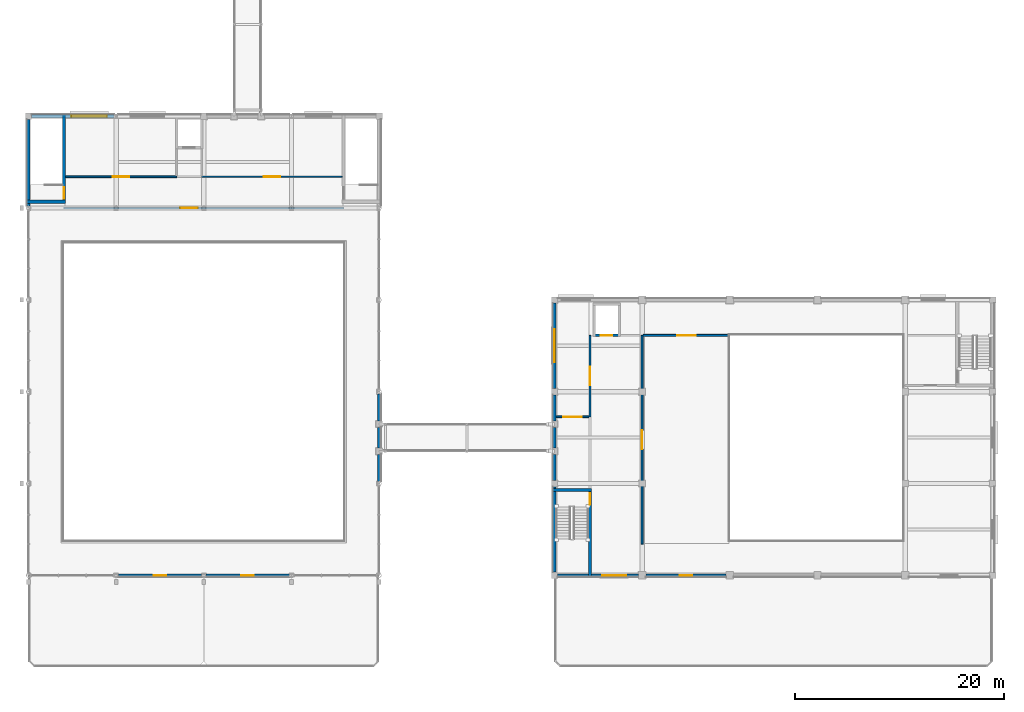
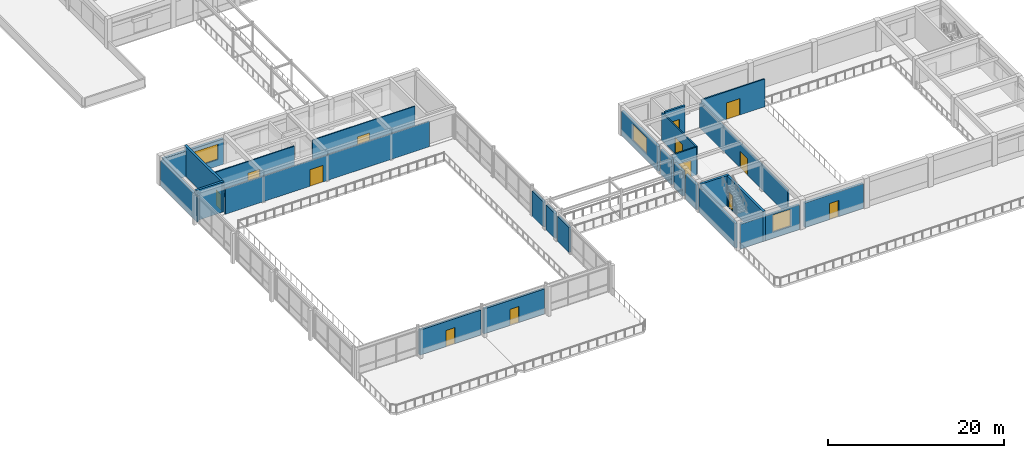
# One storey, part 34 of 57: 26 walls, 13 doors, 3 windows, 16 openings.
"""IFC4 building model written with IfcOpenShell, lengths in metres."""

from ifc_helpers import new_model, si_unit, direction, frame, frame_2d, origin, place, context, subcontext, project, spatial, rectangle, extrude, material, layer, layer_set, type_object, element, fill, save


model = new_model("IFC4")

# Units and contexts
model_context = context("Model", 3, precision=1e-05, world=origin(), true_north=direction((0.0, 1.0)))
body_context = subcontext(model_context, "Body", "Model", "MODEL_VIEW")
ifc_project = project(units=[si_unit("LENGTHUNIT", "METRE"), si_unit("AREAUNIT", "SQUARE_METRE"), si_unit("VOLUMEUNIT", "CUBIC_METRE"), si_unit("PLANEANGLEUNIT", "RADIAN"), si_unit("MASSUNIT", "GRAM", prefix="KILO")], contexts=[model_context])

# Site, building, storey
site_placement = place(None, origin())
site = spatial("IfcSite", under=ifc_project, at=site_placement, CompositionType="ELEMENT")
building_placement = place(site_placement, origin())
building = spatial("IfcBuilding", under=site, at=building_placement, Name="Kemercrest Conservatory and Botanical Centre", CompositionType="ELEMENT")
storey_placement = place(building_placement, frame((0.0, 0.0, 4.800048828125)))
storey = spatial("IfcBuildingStorey", under=building, at=storey_placement, Name="L01", CompositionType="ELEMENT", Elevation=4.800048828125)

# Wall, opening, window
ifc_material_1 = material(Name="Precast concrete C40/50", Category="concrete")
ifc_layer_1 = layer(ifc_material_1, 0.300048828125)
ifc_layer_set_1 = layer_set([ifc_layer_1], Name="Precast concrete C40/50")
wall_type_1 = type_object("IfcWallType", Name="CW-EXT300", PredefinedType="SHEAR", material=ifc_layer_set_1)
wall_1_placement = place(storey_placement, frame((16.20849609375, 60.800048828125, 0.0), z_axis=(0.0, 0.0, 1.0), x_axis=(-1.0, 0.0, 0.0)))
wall_1 = element("IfcWall", 1, at=wall_1_placement, inside=storey, type_object=wall_type_1, Name="Exterior stair-core shear wall CW-EXT300 (WAL:L01:EXT-019)", PredefinedType="SHEAR", context=body_context, shape_type="SweptSolid", body=[
    extrude(rectangle(XDim=7.8984375, YDim=0.300048828125, at=frame_2d((3.94921875, 0.0))), origin(), (0.0, 0.0, 1.0), 3.550048828125),
])
opening_1_placement = place(wall_1_placement, frame((0.704345703125, 0.0, 0.89990234375)))
opening_1 = element("IfcOpeningElement", 2, at=opening_1_placement, cuts=wall_1, Name="Opening WT-20", PredefinedType="OPENING", context=body_context, shape_type="SweptSolid", body=[
    extrude(rectangle(XDim=3.39990234375, YDim=2.14990234375, at=frame_2d((1.699951171875, 1.074951171875))), frame((0.0, 0.16015625, 0.0), z_axis=(0.0, -1.0, 0.0), x_axis=(1.0, 0.0, 0.0)), (0.0, 0.0, 1.0), 0.320068359375),
])
ifc_material_2 = material(Name="Thermally broken bronze-anodized aluminium and triple glazing", Category="aluminium")
window_type_1 = type_object("IfcWindowType", Name="WT-20", PartitioningType="SINGLE_PANEL", PredefinedType="WINDOW", material=ifc_material_2)
window_1_placement = place(opening_1_placement, origin())
window_1 = element("IfcWindow", 3, at=window_1_placement, inside=storey, type_object=window_type_1, Name="Exterior window WT-20 (WIN:L01:EXT-019)", OverallHeight=2.14990234375, OverallWidth=3.39990234375, PartitioningType="SINGLE_PANEL", PredefinedType="WINDOW", context=body_context, shape_type="SweptSolid", body=[
    extrude(rectangle(XDim=3.39990234375, YDim=2.14990234375, at=frame_2d((1.699951171875, 1.074951171875))), frame((0.0, 0.030029296875, 0.0), z_axis=(0.0, -1.0, 0.0), x_axis=(1.0, 0.0, 0.0)), (0.0, 0.0, 1.0), 0.06005859375),
])
fill(opening_1, window_1)

# Wall
wall_2_placement = place(storey_placement, frame((8.0, 60.489990234375, 0.0), z_axis=(0.0, 0.0, 1.0), x_axis=(0.0, -1.0, 0.0)))
element("IfcWall", 4, at=wall_2_placement, inside=storey, type_object=wall_type_1, Name="Exterior stair-core shear wall CW-EXT300 (WAL:L01:EXT-020)", PredefinedType="SHEAR", context=body_context, shape_type="SweptSolid", body=[
    extrude(rectangle(XDim=8.27685546875, YDim=0.300048828125, at=frame_2d((4.138427734375, 0.0))), origin(), (0.0, 0.0, 1.0), 3.550048828125),
])

# Wall, opening, window
wall_3_placement = place(storey_placement, frame((58.7099609375, 16.800048828125, 0.0), z_axis=(0.0, 0.0, 1.0), x_axis=(1.0, 0.0, 0.0)))
wall_3 = element("IfcWall", 5, at=wall_3_placement, inside=storey, type_object=wall_type_1, Name="Exterior stair-core shear wall CW-EXT300 (WAL:L01:EXT-037)", PredefinedType="SHEAR", context=body_context, shape_type="SweptSolid", body=[
    extrude(rectangle(XDim=7.72998046875, YDim=0.300048828125, at=frame_2d((3.864990234375, 0.0))), origin(), (0.0, 0.0, 1.0), 3.449951171875),
])
opening_2_placement = place(wall_3_placement, frame((4.27001953125, 0.0, 0.89990234375)))
opening_2 = element("IfcOpeningElement", 6, at=opening_2_placement, cuts=wall_3, Name="Opening WT-44", PredefinedType="OPENING", context=body_context, shape_type="SweptSolid", body=[
    extrude(rectangle(XDim=2.280029296875, YDim=2.360107421875, at=frame_2d((1.14013671875, 1.18017578125))), frame((0.0, 0.16015625, 0.0), z_axis=(0.0, -1.0, 0.0), x_axis=(1.0, 0.0, 0.0)), (0.0, 0.0, 1.0), 0.320068359375),
])
window_type_2 = type_object("IfcWindowType", Name="WT-44", PartitioningType="SINGLE_PANEL", PredefinedType="WINDOW", material=ifc_material_2)
window_2_placement = place(opening_2_placement, origin())
window_2 = element("IfcWindow", 7, at=window_2_placement, inside=storey, type_object=window_type_2, Name="Exterior window WT-44 (WIN:L01:EXT-037)", OverallHeight=2.360107421875, OverallWidth=2.280029296875, PartitioningType="SINGLE_PANEL", PredefinedType="WINDOW", context=body_context, shape_type="SweptSolid", body=[
    extrude(rectangle(XDim=2.280029296875, YDim=2.360107421875, at=frame_2d((1.14013671875, 1.18017578125))), frame((0.0, 0.030029296875, 0.0), z_axis=(0.0, -1.0, 0.0), x_axis=(1.0, 0.0, 0.0)), (0.0, 0.0, 1.0), 0.06005859375),
])
fill(opening_2, window_2)

# Walls
wall_4_placement = place(storey_placement, frame((58.39990234375, 25.2900390625, 0.0), z_axis=(0.0, 0.0, 1.0), x_axis=(0.0, -1.0, 0.0)))
element("IfcWall", 8, at=wall_4_placement, inside=storey, type_object=wall_type_1, Name="Exterior stair-core shear wall CW-EXT300 (WAL:L01:EXT-052)", PredefinedType="SHEAR", context=body_context, shape_type="SweptSolid", body=[
    extrude(rectangle(XDim=8.179931640625, YDim=0.300048828125, at=frame_2d((4.08984375, 0.0))), origin(), (0.0, 0.0, 1.0), 3.449951171875),
])
ifc_material_3 = material(Name="Concrete C50/60", Category="concrete")
ifc_layer_2 = layer(ifc_material_3, 0.300048828125)
ifc_layer_set_2 = layer_set([ifc_layer_2], Name="Concrete C50/60")
wall_type_2 = type_object("IfcWallType", Name="CW-STAIR", PredefinedType="SHEAR", material=ifc_layer_set_2)
wall_5_placement = place(storey_placement, frame((7.85009765625, 52.60009765625, 0.0), z_axis=(0.0, 0.0, 1.0), x_axis=(1.0, 0.0, 0.0)))
element("IfcWall", 9, at=wall_5_placement, inside=storey, type_object=wall_type_2, Name="Stair core ST-V1A shear wall S", PredefinedType="SHEAR", context=body_context, shape_type="SweptSolid", body=[
    extrude(rectangle(XDim=3.699951171875, YDim=0.300048828125, at=frame_2d((1.85009765625, 0.0))), origin(), (0.0, 0.0, 1.0), 4.199951171875),
])

# Wall, opening, door
wall_6_placement = place(storey_placement, frame((11.39990234375, 52.449951171875, 0.0), z_axis=(0.0, 0.0, 1.0), x_axis=(0.0, 1.0, 0.0)))
wall_6 = element("IfcWall", 10, at=wall_6_placement, inside=storey, type_object=wall_type_2, Name="Stair core ST-V1A shear wall E", PredefinedType="SHEAR", context=body_context, shape_type="SweptSolid", body=[
    extrude(rectangle(XDim=8.5, YDim=0.300048828125, at=frame_2d((4.25, 0.0))), origin(), (0.0, 0.0, 1.0), 4.199951171875),
])
opening_3_placement = place(wall_6_placement, frame((0.449951171875, 0.0, 0.0)))
opening_3 = element("IfcOpeningElement", 11, at=opening_3_placement, cuts=wall_6, Name="Opening D003", PredefinedType="OPENING", context=body_context, shape_type="SweptSolid", body=[
    extrude(rectangle(XDim=1.10009765625, YDim=2.199951171875, at=frame_2d((0.550048828125, 1.10009765625))), frame((0.0, 0.16015625, 0.0), z_axis=(0.0, -1.0, 0.0), x_axis=(1.0, 0.0, 0.0)), (0.0, 0.0, 1.0), 0.320068359375),
])
ifc_material_4 = material(Name="Powder-coated galvanized steel and fire-rated vision glass", Category="steel")
door_type_1 = type_object("IfcDoorType", Name="DT-FD90", OperationType="NOTDEFINED", PredefinedType="DOOR", material=ifc_material_4)
door_1_placement = place(opening_3_placement, origin())
door_1 = element("IfcDoor", 12, at=door_1_placement, inside=storey, type_object=door_type_1, Name="Exit stair ST-V1A fire door D003", OperationType="SINGLE_SWING_LEFT", OverallHeight=2.199951171875, OverallWidth=1.10009765625, PredefinedType="DOOR", context=body_context, shape_type="SweptSolid", body=[
    extrude(rectangle(XDim=1.10009765625, YDim=2.199951171875, at=frame_2d((0.550048828125, 1.10009765625))), frame((0.0, 0.02490234375, 0.0), z_axis=(0.0, -1.0, 0.0), x_axis=(1.0, 0.0, 0.0)), (0.0, 0.0, 1.0), 0.050048828125),
])
fill(opening_3, door_1)

# Wall
wall_7_placement = place(storey_placement, frame((58.25, 25.0, 0.0), z_axis=(0.0, 0.0, 1.0), x_axis=(1.0, 0.0, 0.0)))
element("IfcWall", 13, at=wall_7_placement, inside=storey, type_object=wall_type_2, Name="Stair core ST-V2A shear wall N", PredefinedType="SHEAR", context=body_context, shape_type="SweptSolid", body=[
    extrude(rectangle(XDim=3.699951171875, YDim=0.300048828125, at=frame_2d((1.85009765625, 0.0))), origin(), (0.0, 0.0, 1.0), 4.199951171875),
])

# Wall, opening, door
wall_8_placement = place(storey_placement, frame((61.800048828125, 16.64990234375, 0.0), z_axis=(0.0, 0.0, 1.0), x_axis=(0.0, 1.0, 0.0)))
wall_8 = element("IfcWall", 14, at=wall_8_placement, inside=storey, type_object=wall_type_2, Name="Stair core ST-V2A shear wall E", PredefinedType="SHEAR", context=body_context, shape_type="SweptSolid", body=[
    extrude(rectangle(XDim=8.5, YDim=0.300048828125, at=frame_2d((4.25, 0.0))), origin(), (0.0, 0.0, 1.0), 4.199951171875),
])
opening_4_placement = place(wall_8_placement, frame((6.89990234375, 0.0, 0.0)))
opening_4 = element("IfcOpeningElement", 15, at=opening_4_placement, cuts=wall_8, Name="Opening D009", PredefinedType="OPENING", context=body_context, shape_type="SweptSolid", body=[
    extrude(rectangle(XDim=1.10009765625, YDim=2.199951171875, at=frame_2d((0.550048828125, 1.10009765625))), frame((0.0, 0.16015625, 0.0), z_axis=(0.0, -1.0, 0.0), x_axis=(1.0, 0.0, 0.0)), (0.0, 0.0, 1.0), 0.320068359375),
])
door_2_placement = place(opening_4_placement, origin())
door_2 = element("IfcDoor", 16, at=door_2_placement, inside=storey, type_object=door_type_1, Name="Exit stair ST-V2A fire door D009", OperationType="SINGLE_SWING_LEFT", OverallHeight=2.199951171875, OverallWidth=1.10009765625, PredefinedType="DOOR", context=body_context, shape_type="SweptSolid", body=[
    extrude(rectangle(XDim=1.10009765625, YDim=2.199951171875, at=frame_2d((0.550048828125, 1.10009765625))), frame((0.0, 0.02490234375, 0.0), z_axis=(0.0, -1.0, 0.0), x_axis=(1.0, 0.0, 0.0)), (0.0, 0.0, 1.0), 0.050048828125),
])
fill(opening_4, door_2)

ifc_layer_3 = layer(ifc_material_1, 0.300048828125)
ifc_layer_set_3 = layer_set([ifc_layer_3], Name="Precast concrete C40/50")
wall_type_3 = type_object("IfcWallType", Name="W-EXT300", PredefinedType="SOLIDWALL", material=ifc_layer_set_3)
wall_9_placement = place(storey_placement, frame((16.61328125, 16.800048828125, 0.0), z_axis=(0.0, 0.0, 1.0), x_axis=(1.0, 0.0, 0.0)))
wall_9 = element("IfcWall", 17, at=wall_9_placement, inside=storey, type_object=wall_type_3, Name="Exterior almasik wall W-EXT300 (WAL:L01:EXT-012)", PredefinedType="SOLIDWALL", context=body_context, shape_type="SweptSolid", body=[
    extrude(rectangle(XDim=7.9736328125, YDim=0.300048828125, at=frame_2d((3.98681640625, 0.0))), origin(), (0.0, 0.0, 1.0), 3.490966796875),
])
opening_5_placement = place(wall_9_placement, frame((3.38671875, 0.0, 0.0)))
opening_5 = element("IfcOpeningElement", 18, at=opening_5_placement, cuts=wall_9, Name="Opening ED009", PredefinedType="OPENING", context=body_context, shape_type="SweptSolid", body=[
    extrude(rectangle(XDim=1.199951171875, YDim=2.25, at=frame_2d((0.60009765625, 1.125))), frame((0.0, 0.16015625, 0.0), z_axis=(0.0, -1.0, 0.0), x_axis=(1.0, 0.0, 0.0)), (0.0, 0.0, 1.0), 0.320068359375),
])
ifc_material_5 = material(Name="Thermally broken bronze-anodized aluminium and laminated safety glass", Category="aluminium")
door_type_2 = type_object("IfcDoorType", Name="DT-E04", OperationType="NOTDEFINED", PredefinedType="DOOR", material=ifc_material_5)
door_3_placement = place(opening_5_placement, frame((1.199951171875, 0.0, 0.0), z_axis=(0.0, 0.0, 1.0), x_axis=(-1.0, 0.0, 0.0)))
door_3 = element("IfcDoor", 19, at=door_3_placement, inside=storey, type_object=door_type_2, Name="Conservatory Harbour Colonnade Terrace Door", OperationType="SINGLE_SWING_LEFT", OverallHeight=2.25, OverallWidth=1.199951171875, PredefinedType="DOOR", context=body_context, shape_type="SweptSolid", body=[
    extrude(rectangle(XDim=1.199951171875, YDim=2.25, at=frame_2d((0.60009765625, 1.125))), frame((0.0, 0.02490234375, 0.0), z_axis=(0.0, -1.0, 0.0), x_axis=(1.0, 0.0, 0.0)), (0.0, 0.0, 1.0), 0.050048828125),
])
fill(opening_5, door_3)

wall_10_placement = place(storey_placement, frame((25.01318359375, 16.800048828125, 0.0), z_axis=(0.0, 0.0, 1.0), x_axis=(1.0, 0.0, 0.0)))
wall_10 = element("IfcWall", 20, at=wall_10_placement, inside=storey, type_object=wall_type_3, Name="Exterior almasik wall W-EXT300 (WAL:L01:EXT-013)", PredefinedType="SOLIDWALL", context=body_context, shape_type="SweptSolid", body=[
    extrude(rectangle(XDim=7.9736328125, YDim=0.300048828125, at=frame_2d((3.98681640625, 0.0))), origin(), (0.0, 0.0, 1.0), 3.490966796875),
])
opening_6_placement = place(wall_10_placement, frame((3.38671875, 0.0, 0.0)))
opening_6 = element("IfcOpeningElement", 21, at=opening_6_placement, cuts=wall_10, Name="Opening ED010", PredefinedType="OPENING", context=body_context, shape_type="SweptSolid", body=[
    extrude(rectangle(XDim=1.199951171875, YDim=2.25, at=frame_2d((0.60009765625, 1.125))), frame((0.0, 0.16015625, 0.0), z_axis=(0.0, -1.0, 0.0), x_axis=(1.0, 0.0, 0.0)), (0.0, 0.0, 1.0), 0.320068359375),
])
door_4_placement = place(opening_6_placement, frame((1.199951171875, 0.0, 0.0), z_axis=(0.0, 0.0, 1.0), x_axis=(-1.0, 0.0, 0.0)))
door_4 = element("IfcDoor", 22, at=door_4_placement, inside=storey, type_object=door_type_2, Name="Conservatory Harbour Colonnade Terrace Door", OperationType="SINGLE_SWING_LEFT", OverallHeight=2.25, OverallWidth=1.199951171875, PredefinedType="DOOR", context=body_context, shape_type="SweptSolid", body=[
    extrude(rectangle(XDim=1.199951171875, YDim=2.25, at=frame_2d((0.60009765625, 1.125))), frame((0.0, 0.02490234375, 0.0), z_axis=(0.0, -1.0, 0.0), x_axis=(1.0, 0.0, 0.0)), (0.0, 0.0, 1.0), 0.050048828125),
])
fill(opening_6, door_4)

# Walls
wall_11_placement = place(storey_placement, frame((41.60009765625, 25.813232421875, 0.0), z_axis=(0.0, 0.0, 1.0), x_axis=(0.0, 1.0, 0.0)))
element("IfcWall", 23, at=wall_11_placement, inside=storey, type_object=wall_type_3, Name="Exterior almasik wall W-EXT300 (WAL:L01:EXT-014-S1)", PredefinedType="SOLIDWALL", context=body_context, shape_type="SweptSolid", body=[
    extrude(rectangle(XDim=2.57666015625, YDim=0.300048828125, at=frame_2d((1.288330078125, 0.0))), origin(), (0.0, 0.0, 1.0), 3.490966796875),
])
wall_12_placement = place(storey_placement, frame((41.60009765625, 29.010009765625, 0.0), z_axis=(0.0, 0.0, 1.0), x_axis=(0.0, 1.0, 0.0)))
element("IfcWall", 24, at=wall_12_placement, inside=storey, type_object=wall_type_3, Name="Exterior almasik wall W-EXT300 (WAL:L01:EXT-014-S2)", PredefinedType="SOLIDWALL", context=body_context, shape_type="SweptSolid", body=[
    extrude(rectangle(XDim=1.97998046875, YDim=0.300048828125, at=frame_2d((0.989990234375, 0.0))), origin(), (0.0, 0.0, 1.0), 3.490966796875),
])
wall_13_placement = place(storey_placement, frame((41.60009765625, 31.610107421875, 0.0), z_axis=(0.0, 0.0, 1.0), x_axis=(0.0, 1.0, 0.0)))
element("IfcWall", 25, at=wall_13_placement, inside=storey, type_object=wall_type_3, Name="Exterior almasik wall W-EXT300 (WAL:L01:EXT-014-S3)", PredefinedType="SOLIDWALL", context=body_context, shape_type="SweptSolid", body=[
    extrude(rectangle(XDim=2.57666015625, YDim=0.300048828125, at=frame_2d((1.288330078125, 0.0))), origin(), (0.0, 0.0, 1.0), 3.490966796875),
])

# Wall, opening, door
wall_14_placement = place(storey_placement, frame((67.159912109375, 16.800048828125, 0.0), z_axis=(0.0, 0.0, 1.0), x_axis=(1.0, 0.0, 0.0)))
wall_14 = element("IfcWall", 26, at=wall_14_placement, inside=storey, type_object=wall_type_3, Name="Exterior almasik wall W-EXT300 (WAL:L01:EXT-038)", PredefinedType="SOLIDWALL", context=body_context, shape_type="SweptSolid", body=[
    extrude(rectangle(XDim=7.68017578125, YDim=0.300048828125, at=frame_2d((3.840087890625, 0.0))), origin(), (0.0, 0.0, 1.0), 3.449951171875),
])
opening_7_placement = place(wall_14_placement, frame((3.239990234375, 0.0, 0.0)))
opening_7 = element("IfcOpeningElement", 27, at=opening_7_placement, cuts=wall_14, Name="Opening ED019", PredefinedType="OPENING", context=body_context, shape_type="SweptSolid", body=[
    extrude(rectangle(XDim=1.199951171875, YDim=2.25, at=frame_2d((0.60009765625, 1.125))), frame((0.0, 0.16015625, 0.0), z_axis=(0.0, -1.0, 0.0), x_axis=(1.0, 0.0, 0.0)), (0.0, 0.0, 1.0), 0.320068359375),
])
door_5_placement = place(opening_7_placement, frame((1.199951171875, 0.0, 0.0), z_axis=(0.0, 0.0, 1.0), x_axis=(-1.0, 0.0, 0.0)))
door_5 = element("IfcDoor", 28, at=door_5_placement, inside=storey, type_object=door_type_2, Name="Auditorium Harbour Loggia Terrace Door", OperationType="SINGLE_SWING_RIGHT", OverallHeight=2.25, OverallWidth=1.199951171875, PredefinedType="DOOR", context=body_context, shape_type="SweptSolid", body=[
    extrude(rectangle(XDim=1.199951171875, YDim=2.25, at=frame_2d((0.60009765625, 1.125))), frame((0.0, 0.02490234375, 0.0), z_axis=(0.0, -1.0, 0.0), x_axis=(1.0, 0.0, 0.0)), (0.0, 0.0, 1.0), 0.050048828125),
])
fill(opening_7, door_5)

# Wall, opening, window
wall_15_placement = place(storey_placement, frame((58.39990234375, 42.889892578125, 0.0), z_axis=(0.0, 0.0, 1.0), x_axis=(0.0, -1.0, 0.0)))
wall_15 = element("IfcWall", 29, at=wall_15_placement, inside=storey, type_object=wall_type_3, Name="Exterior almasik wall W-EXT300 (WAL:L01:EXT-050)", PredefinedType="SOLIDWALL", context=body_context, shape_type="SweptSolid", body=[
    extrude(rectangle(XDim=8.179931640625, YDim=0.300048828125, at=frame_2d((4.08984375, 0.0))), origin(), (0.0, 0.0, 1.0), 3.449951171875),
])
opening_8_placement = place(wall_15_placement, frame((2.52001953125, 0.0, 0.89990234375)))
opening_8 = element("IfcOpeningElement", 30, at=opening_8_placement, cuts=wall_15, Name="Opening WT-57", PredefinedType="OPENING", context=body_context, shape_type="SweptSolid", body=[
    extrude(rectangle(XDim=3.139892578125, YDim=2.239990234375, at=frame_2d((1.56982421875, 1.1201171875))), frame((0.0, 0.16015625, 0.0), z_axis=(0.0, -1.0, 0.0), x_axis=(1.0, 0.0, 0.0)), (0.0, 0.0, 1.0), 0.320068359375),
])
window_type_3 = type_object("IfcWindowType", Name="WT-57", PartitioningType="SINGLE_PANEL", PredefinedType="WINDOW", material=ifc_material_2)
window_3_placement = place(opening_8_placement, origin())
window_3 = element("IfcWindow", 31, at=window_3_placement, inside=storey, type_object=window_type_3, Name="Exterior window WT-57 (WIN:L01:EXT-050)", OverallHeight=2.239990234375, OverallWidth=3.139892578125, PartitioningType="SINGLE_PANEL", PredefinedType="WINDOW", context=body_context, shape_type="SweptSolid", body=[
    extrude(rectangle(XDim=3.139892578125, YDim=2.239990234375, at=frame_2d((1.56982421875, 1.1201171875))), frame((0.0, 0.030029296875, 0.0), z_axis=(0.0, -1.0, 0.0), x_axis=(1.0, 0.0, 0.0)), (0.0, 0.0, 1.0), 0.06005859375),
])
fill(opening_8, window_3)

# Walls
wall_16_placement = place(storey_placement, frame((58.39990234375, 34.090087890625, 0.0), z_axis=(0.0, 0.0, 1.0), x_axis=(0.0, -1.0, 0.0)))
element("IfcWall", 32, at=wall_16_placement, inside=storey, type_object=wall_type_3, Name="Exterior almasik wall W-EXT300 (WAL:L01:EXT-051-S1)", PredefinedType="SOLIDWALL", context=body_context, shape_type="SweptSolid", body=[
    extrude(rectangle(XDim=2.47998046875, YDim=0.300048828125, at=frame_2d((1.239990234375, 0.0))), origin(), (0.0, 0.0, 1.0), 3.449951171875),
])
wall_17_placement = place(storey_placement, frame((58.39990234375, 30.989990234375, 0.0), z_axis=(0.0, 0.0, 1.0), x_axis=(0.0, -1.0, 0.0)))
element("IfcWall", 33, at=wall_17_placement, inside=storey, type_object=wall_type_3, Name="Exterior almasik wall W-EXT300 (WAL:L01:EXT-051-S2)", PredefinedType="SOLIDWALL", context=body_context, shape_type="SweptSolid", body=[
    extrude(rectangle(XDim=1.97998046875, YDim=0.300048828125, at=frame_2d((0.989990234375, 0.0))), origin(), (0.0, 0.0, 1.0), 3.449951171875),
])
wall_18_placement = place(storey_placement, frame((58.39990234375, 28.389892578125, 0.0), z_axis=(0.0, 0.0, 1.0), x_axis=(0.0, -1.0, 0.0)))
element("IfcWall", 34, at=wall_18_placement, inside=storey, type_object=wall_type_3, Name="Exterior almasik wall W-EXT300 (WAL:L01:EXT-051-S3)", PredefinedType="SOLIDWALL", context=body_context, shape_type="SweptSolid", body=[
    extrude(rectangle(XDim=2.47998046875, YDim=0.300048828125, at=frame_2d((1.239990234375, 0.0))), origin(), (0.0, 0.0, 1.0), 3.449951171875),
])

# Wall, opening, door
ifc_material_6 = material(Name="Moisture-resistant gypsum board partition", Category="gypsum")
ifc_layer_4 = layer(ifc_material_6, 0.125)
ifc_layer_set_4 = layer_set([ifc_layer_4], Name="Moisture-resistant gypsum board partition")
wall_type_4 = type_object("IfcWallType", Name="W-PART125", PredefinedType="PARTITIONING", material=ifc_layer_set_4)
wall_19_placement = place(storey_placement, frame((24.60009765625, 55.0, 0.0), z_axis=(0.0, 0.0, 1.0), x_axis=(1.0, 0.0, 0.0)))
wall_19 = element("IfcWall", 35, at=wall_19_placement, inside=storey, type_object=wall_type_4, Name="Interior partition W-PART125 #63", PredefinedType="PARTITIONING", context=body_context, shape_type="SweptSolid", body=[
    extrude(rectangle(XDim=13.44482421875, YDim=0.125, at=frame_2d((6.722412109375, 0.0))), origin(), (0.0, 0.0, 1.0), 3.864990234375),
])
opening_9_placement = place(wall_19_placement, frame((5.9326171875, 0.0, 0.0)))
opening_9 = element("IfcOpeningElement", 36, at=opening_9_placement, cuts=wall_19, Name="Opening D141", PredefinedType="OPENING", context=body_context, shape_type="SweptSolid", body=[
    extrude(rectangle(XDim=1.580078125, YDim=2.25, at=frame_2d((0.7900390625, 1.125))), frame((0.0, 0.072509765625, 0.0), z_axis=(0.0, -1.0, 0.0), x_axis=(1.0, 0.0, 0.0)), (0.0, 0.0, 1.0), 0.14501953125),
])
ifc_material_7 = material(Name="FSC solid-core white oak veneer and anodized aluminium frame", Category="aluminium")
door_type_3 = type_object("IfcDoorType", Name="DT-10", OperationType="DOUBLE_DOOR_SINGLE_SWING", PredefinedType="DOOR", material=ifc_material_7)
door_6_placement = place(opening_9_placement, origin())
door_6 = element("IfcDoor", 37, at=door_6_placement, inside=storey, type_object=door_type_3, Name="Gallery Accessible Washroom door D141", OperationType="DOUBLE_DOOR_SINGLE_SWING", OverallHeight=2.25, OverallWidth=1.580078125, PredefinedType="DOOR", context=body_context, shape_type="SweptSolid", body=[
    extrude(rectangle(XDim=1.580078125, YDim=2.25, at=frame_2d((0.7900390625, 1.125))), frame((0.0, 0.02490234375, 0.0), z_axis=(0.0, -1.0, 0.0), x_axis=(1.0, 0.0, 0.0)), (0.0, 0.0, 1.0), 0.050048828125),
])
fill(opening_9, door_6)

ifc_material_8 = material(Name="Steel-stud gypsum board partition", Category="steel")
ifc_layer_5 = layer(ifc_material_8, 0.14990234375)
ifc_layer_set_5 = layer_set([ifc_layer_5], Name="Steel-stud gypsum board partition")
wall_type_5 = type_object("IfcWallType", Name="W-PART150", PredefinedType="PARTITIONING", material=ifc_layer_set_5)
wall_20_placement = place(storey_placement, frame((11.39990234375, 52.0, 0.0), z_axis=(0.0, 0.0, 1.0), x_axis=(1.0, 0.0, 0.0)))
wall_20 = element("IfcWall", 38, at=wall_20_placement, inside=storey, type_object=wall_type_5, Name="Interior partition W-PART150 #61", PredefinedType="PARTITIONING", context=body_context, shape_type="SweptSolid", body=[
    extrude(rectangle(XDim=26.800048828125, YDim=0.14990234375, at=frame_2d((13.39990234375, 0.0))), origin(), (0.0, 0.0, 1.0), 3.544921875),
])
opening_10_placement = place(wall_20_placement, frame((11.159912109375, 0.0, 0.0)))
opening_10 = element("IfcOpeningElement", 39, at=opening_10_placement, cuts=wall_20, Name="Opening D139", PredefinedType="OPENING", context=body_context, shape_type="SweptSolid", body=[
    extrude(rectangle(XDim=1.679931640625, YDim=2.300048828125, at=frame_2d((0.83984375, 1.14990234375))), frame((0.0, 0.0849609375, 0.0), z_axis=(0.0, -1.0, 0.0), x_axis=(1.0, 0.0, 0.0)), (0.0, 0.0, 1.0), 0.169921875),
])
door_type_4 = type_object("IfcDoorType", Name="DT-11", OperationType="DOUBLE_DOOR_SINGLE_SWING", PredefinedType="DOOR", material=ifc_material_7)
door_7_placement = place(opening_10_placement, origin())
door_7 = element("IfcDoor", 40, at=door_7_placement, inside=storey, type_object=door_type_4, Name="Conservatory Canopy Walk door D139", OperationType="DOUBLE_DOOR_SINGLE_SWING", OverallHeight=2.300048828125, OverallWidth=1.679931640625, PredefinedType="DOOR", context=body_context, shape_type="SweptSolid", body=[
    extrude(rectangle(XDim=1.679931640625, YDim=2.300048828125, at=frame_2d((0.83984375, 1.14990234375))), frame((0.0, 0.02490234375, 0.0), z_axis=(0.0, -1.0, 0.0), x_axis=(1.0, 0.0, 0.0)), (0.0, 0.0, 1.0), 0.050048828125),
])
fill(opening_10, door_7)

wall_21_placement = place(storey_placement, frame((11.554931640625, 55.0, 0.0), z_axis=(0.0, 0.0, 1.0), x_axis=(1.0, 0.0, 0.0)))
wall_21 = element("IfcWall", 41, at=wall_21_placement, inside=storey, type_object=wall_type_5, Name="Interior partition W-PART150 #62", PredefinedType="PARTITIONING", context=body_context, shape_type="SweptSolid", body=[
    extrude(rectangle(XDim=10.64501953125, YDim=0.14990234375, at=frame_2d((5.322509765625, 0.0))), origin(), (0.0, 0.0, 1.0), 3.864990234375),
])
opening_11_placement = place(wall_21_placement, frame((4.532470703125, 0.0, 0.0)))
opening_11 = element("IfcOpeningElement", 42, at=opening_11_placement, cuts=wall_21, Name="Opening D140", PredefinedType="OPENING", context=body_context, shape_type="SweptSolid", body=[
    extrude(rectangle(XDim=1.580078125, YDim=2.25, at=frame_2d((0.7900390625, 1.125))), frame((0.0, 0.0849609375, 0.0), z_axis=(0.0, -1.0, 0.0), x_axis=(1.0, 0.0, 0.0)), (0.0, 0.0, 1.0), 0.169921875),
])
door_8_placement = place(opening_11_placement, origin())
door_8 = element("IfcDoor", 43, at=door_8_placement, inside=storey, type_object=door_type_3, Name="Epiphyte Interpretation Gallery door D140", OperationType="DOUBLE_DOOR_SINGLE_SWING", OverallHeight=2.25, OverallWidth=1.580078125, PredefinedType="DOOR", context=body_context, shape_type="SweptSolid", body=[
    extrude(rectangle(XDim=1.580078125, YDim=2.25, at=frame_2d((0.7900390625, 1.125))), frame((0.0, 0.02490234375, 0.0), z_axis=(0.0, -1.0, 0.0), x_axis=(1.0, 0.0, 0.0)), (0.0, 0.0, 1.0), 0.050048828125),
])
fill(opening_11, door_8)

ifc_material_9 = material(Name="Acoustic steel-stud gypsum board assembly", Category="steel")
ifc_layer_6 = layer(ifc_material_9, 0.179931640625)
ifc_layer_set_6 = layer_set([ifc_layer_6], Name="Acoustic steel-stud gypsum board assembly")
wall_type_6 = type_object("IfcWallType", Name="W-PART180", PredefinedType="PARTITIONING", material=ifc_layer_set_6)
wall_22_placement = place(storey_placement, frame((61.800048828125, 32.0, 0.0), z_axis=(0.0, 0.0, 1.0), x_axis=(0.0, 1.0, 0.0)))
wall_22 = element("IfcWall", 44, at=wall_22_placement, inside=storey, type_object=wall_type_6, Name="Interior partition W-PART180 #66", PredefinedType="PARTITIONING", context=body_context, shape_type="SweptSolid", body=[
    extrude(rectangle(XDim=7.800048828125, YDim=0.179931640625, at=frame_2d((3.89990234375, 0.0))), origin(), (0.0, 0.0, 1.0), 3.864990234375),
])
opening_12_placement = place(wall_22_placement, frame((3.010009765625, 0.0, 0.0)))
opening_12 = element("IfcOpeningElement", 45, at=opening_12_placement, cuts=wall_22, Name="Opening D142", PredefinedType="OPENING", context=body_context, shape_type="SweptSolid", body=[
    extrude(rectangle(XDim=1.780029296875, YDim=2.300048828125, at=frame_2d((0.89013671875, 1.14990234375))), frame((0.0, 0.10009765625, 0.0), z_axis=(0.0, -1.0, 0.0), x_axis=(1.0, 0.0, 0.0)), (0.0, 0.0, 1.0), 0.199951171875),
])
door_type_5 = type_object("IfcDoorType", Name="DT-12", OperationType="DOUBLE_DOOR_SINGLE_SWING", PredefinedType="DOOR", material=ifc_material_7)
door_9_placement = place(opening_12_placement, origin())
door_9 = element("IfcDoor", 46, at=door_9_placement, inside=storey, type_object=door_type_5, Name="Upper Auditorium Accessible Washroom door D142", OperationType="DOUBLE_DOOR_SINGLE_SWING", OverallHeight=2.300048828125, OverallWidth=1.780029296875, PredefinedType="DOOR", context=body_context, shape_type="SweptSolid", body=[
    extrude(rectangle(XDim=1.780029296875, YDim=2.300048828125, at=frame_2d((0.89013671875, 1.14990234375))), frame((0.0, 0.02490234375, 0.0), z_axis=(0.0, -1.0, 0.0), x_axis=(1.0, 0.0, 0.0)), (0.0, 0.0, 1.0), 0.050048828125),
])
fill(opening_12, door_9)

wall_23_placement = place(storey_placement, frame((66.800048828125, 19.800048828125, 0.0), z_axis=(0.0, 0.0, 1.0), x_axis=(0.0, 1.0, 0.0)))
wall_23 = element("IfcWall", 47, at=wall_23_placement, inside=storey, type_object=wall_type_6, Name="Interior partition W-PART180 #67", PredefinedType="PARTITIONING", context=body_context, shape_type="SweptSolid", body=[
    extrude(rectangle(XDim=20.0, YDim=0.179931640625, at=frame_2d((10.0, 0.0))), origin(), (0.0, 0.0, 1.0), 3.445068359375),
])
opening_13_placement = place(wall_23_placement, frame((9.110107421875, 0.0, 0.0)))
opening_13 = element("IfcOpeningElement", 48, at=opening_13_placement, cuts=wall_23, Name="Opening D143", PredefinedType="OPENING", context=body_context, shape_type="SweptSolid", body=[
    extrude(rectangle(XDim=1.780029296875, YDim=2.300048828125, at=frame_2d((0.89013671875, 1.14990234375))), frame((0.0, 0.10009765625, 0.0), z_axis=(0.0, -1.0, 0.0), x_axis=(1.0, 0.0, 0.0)), (0.0, 0.0, 1.0), 0.199951171875),
])
door_10_placement = place(opening_13_placement, origin())
door_10 = element("IfcDoor", 49, at=door_10_placement, inside=storey, type_object=door_type_5, Name="Auditorium Seating Gallery door D143", OperationType="DOUBLE_DOOR_SINGLE_SWING", OverallHeight=2.300048828125, OverallWidth=1.780029296875, PredefinedType="DOOR", context=body_context, shape_type="SweptSolid", body=[
    extrude(rectangle(XDim=1.780029296875, YDim=2.300048828125, at=frame_2d((0.89013671875, 1.14990234375))), frame((0.0, 0.02490234375, 0.0), z_axis=(0.0, -1.0, 0.0), x_axis=(1.0, 0.0, 0.0)), (0.0, 0.0, 1.0), 0.050048828125),
])
fill(opening_13, door_10)

wall_24_placement = place(storey_placement, frame((66.89501953125, 39.800048828125, 0.0), z_axis=(0.0, 0.0, 1.0), x_axis=(1.0, 0.0, 0.0)))
wall_24 = element("IfcWall", 50, at=wall_24_placement, inside=storey, type_object=wall_type_6, Name="Interior partition W-PART180 #68", PredefinedType="PARTITIONING", context=body_context, shape_type="SweptSolid", body=[
    extrude(rectangle(XDim=8.304931640625, YDim=0.179931640625, at=frame_2d((4.15234375, 0.0))), origin(), (0.0, 0.0, 1.0), 3.864990234375),
])
opening_14_placement = place(wall_24_placement, frame((3.262451171875, 0.0, 0.0)))
opening_14 = element("IfcOpeningElement", 51, at=opening_14_placement, cuts=wall_24, Name="Opening D144", PredefinedType="OPENING", context=body_context, shape_type="SweptSolid", body=[
    extrude(rectangle(XDim=1.780029296875, YDim=2.300048828125, at=frame_2d((0.89013671875, 1.14990234375))), frame((0.0, 0.10009765625, 0.0), z_axis=(0.0, -1.0, 0.0), x_axis=(1.0, 0.0, 0.0)), (0.0, 0.0, 1.0), 0.199951171875),
])
door_11_placement = place(opening_14_placement, origin())
door_11 = element("IfcDoor", 52, at=door_11_placement, inside=storey, type_object=door_type_5, Name="Auditorium Seating Gallery door D144", OperationType="DOUBLE_DOOR_SINGLE_SWING", OverallHeight=2.300048828125, OverallWidth=1.780029296875, PredefinedType="DOOR", context=body_context, shape_type="SweptSolid", body=[
    extrude(rectangle(XDim=1.780029296875, YDim=2.300048828125, at=frame_2d((0.89013671875, 1.14990234375))), frame((0.0, 0.02490234375, 0.0), z_axis=(0.0, -1.0, 0.0), x_axis=(1.0, 0.0, 0.0)), (0.0, 0.0, 1.0), 0.050048828125),
])
fill(opening_14, door_11)

wall_25_placement = place(storey_placement, frame((58.554931640625, 32.0, 0.0), z_axis=(0.0, 0.0, 1.0), x_axis=(1.0, 0.0, 0.0)))
wall_25 = element("IfcWall", 53, at=wall_25_placement, inside=storey, type_object=wall_type_6, Name="Interior partition W-PART180 #70", PredefinedType="PARTITIONING", context=body_context, shape_type="SweptSolid", body=[
    extrude(rectangle(XDim=3.150146484375, YDim=0.179931640625, at=frame_2d((1.5751953125, 0.0))), origin(), (0.0, 0.0, 1.0), 3.864990234375),
])
opening_15_placement = place(wall_25_placement, frame((0.68505859375, 0.0, 0.0)))
opening_15 = element("IfcOpeningElement", 54, at=opening_15_placement, cuts=wall_25, Name="Opening D146", PredefinedType="OPENING", context=body_context, shape_type="SweptSolid", body=[
    extrude(rectangle(XDim=1.780029296875, YDim=2.300048828125, at=frame_2d((0.89013671875, 1.14990234375))), frame((0.0, 0.10009765625, 0.0), z_axis=(0.0, -1.0, 0.0), x_axis=(1.0, 0.0, 0.0)), (0.0, 0.0, 1.0), 0.199951171875),
])
door_12_placement = place(opening_15_placement, origin())
door_12 = element("IfcDoor", 55, at=door_12_placement, inside=storey, type_object=door_type_5, Name="Upper Auditorium Accessible Washroom door D146", OperationType="DOUBLE_DOOR_SINGLE_SWING", OverallHeight=2.300048828125, OverallWidth=1.780029296875, PredefinedType="DOOR", context=body_context, shape_type="SweptSolid", body=[
    extrude(rectangle(XDim=1.780029296875, YDim=2.300048828125, at=frame_2d((0.89013671875, 1.14990234375))), frame((0.0, 0.02490234375, 0.0), z_axis=(0.0, -1.0, 0.0), x_axis=(1.0, 0.0, 0.0)), (0.0, 0.0, 1.0), 0.050048828125),
])
fill(opening_15, door_12)

ifc_material_10 = material(Name="Concrete C40/50", Category="concrete")
ifc_layer_7 = layer(ifc_material_10, 0.25)
ifc_layer_set_7 = layer_set([ifc_layer_7], Name="Concrete C40/50")
wall_type_7 = type_object("IfcWallType", Name="W-SHFT250", PredefinedType="SOLIDWALL", material=ifc_layer_set_7)
wall_26_placement = place(storey_placement, frame((62.074951171875, 39.800048828125, 0.0), z_axis=(0.0, 0.0, 1.0), x_axis=(1.0, 0.0, 0.0)))
wall_26 = element("IfcWall", 56, at=wall_26_placement, inside=storey, type_object=wall_type_7, Name="Elevator LF-V2 shaft wall south", PredefinedType="SOLIDWALL", context=body_context, shape_type="SweptSolid", body=[
    extrude(rectangle(XDim=2.650146484375, YDim=0.25, at=frame_2d((1.3251953125, 0.0))), origin(), (0.0, 0.0, 1.0), 3.8798828125),
])
opening_16_placement = place(wall_26_placement, frame((0.77490234375, 0.0, 0.0)))
opening_16 = element("IfcOpeningElement", 57, at=opening_16_placement, cuts=wall_26, Name="Opening LD-098", PredefinedType="OPENING", context=body_context, shape_type="SweptSolid", body=[
    extrude(rectangle(XDim=1.10009765625, YDim=2.199951171875, at=frame_2d((0.550048828125, 1.10009765625))), frame((0.0, 0.135009765625, 0.0), z_axis=(0.0, -1.0, 0.0), x_axis=(1.0, 0.0, 0.0)), (0.0, 0.0, 1.0), 0.27001953125),
])
door_type_6 = type_object("IfcDoorType", Name="DT-LD01", OperationType="SLIDING_TO_LEFT", PredefinedType="DOOR", material=ifc_material_4)
door_13_placement = place(opening_16_placement, origin())
door_13 = element("IfcDoor", 58, at=door_13_placement, inside=storey, type_object=door_type_6, Name="Elevator LF-V2 sliding landing door LD-098", OperationType="SLIDING_TO_LEFT", OverallHeight=2.199951171875, OverallWidth=1.10009765625, PredefinedType="DOOR", context=body_context, shape_type="SweptSolid", body=[
    extrude(rectangle(XDim=1.10009765625, YDim=2.199951171875, at=frame_2d((0.550048828125, 1.10009765625))), frame((0.0, 0.02490234375, 0.0), z_axis=(0.0, -1.0, 0.0), x_axis=(1.0, 0.0, 0.0)), (0.0, 0.0, 1.0), 0.050048828125),
])
fill(opening_16, door_13)

save(model, "model.ifc")
